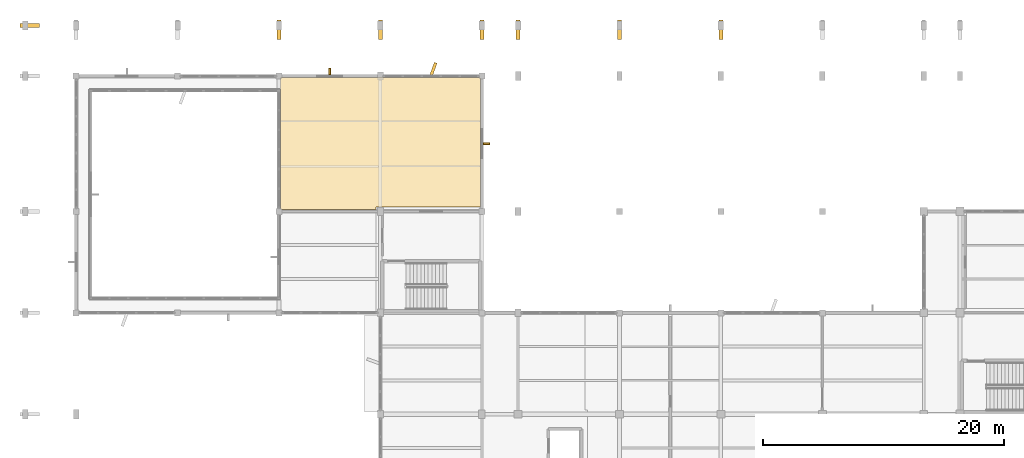
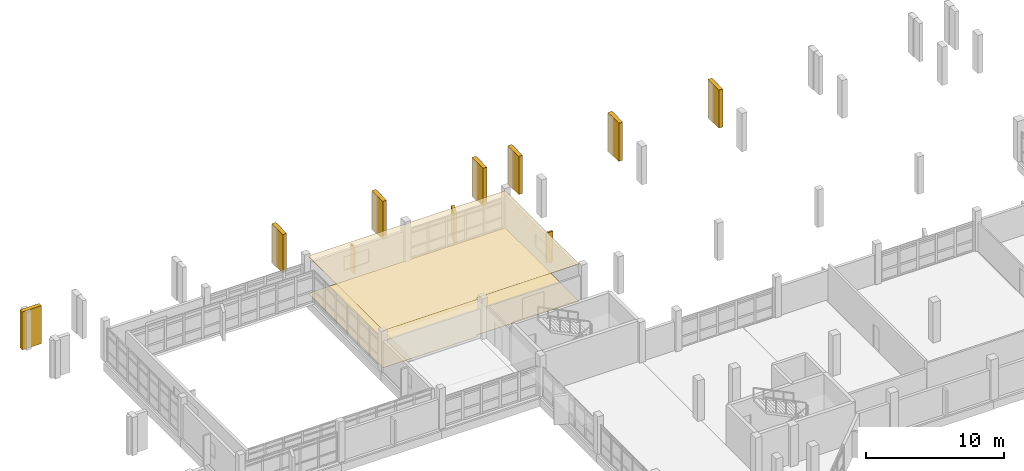
# One storey, part 96 of 104: 10 coverings, 2 shading devices.
"""IFC4 building model written with IfcOpenShell, lengths in metres."""

from ifc_helpers import new_model, si_unit, direction, frame, origin, origin_2d, place, context, subcontext, project, spatial, polyline, rectangle, outline, extrude, material, layer, layer_set, type_object, element, save


model = new_model("IFC4")

# Units and contexts
model_context = context("Model", 3, precision=1e-05, world=origin(), true_north=direction((0.0, 1.0)))
body_context = subcontext(model_context, "Body", "Model", "MODEL_VIEW")
ifc_project = project(units=[si_unit("LENGTHUNIT", "METRE"), si_unit("AREAUNIT", "SQUARE_METRE"), si_unit("VOLUMEUNIT", "CUBIC_METRE"), si_unit("PLANEANGLEUNIT", "RADIAN"), si_unit("MASSUNIT", "GRAM", prefix="KILO")], contexts=[model_context])

# Site, building, storey
site_placement = place(None, origin())
site = spatial("IfcSite", under=ifc_project, at=site_placement, CompositionType="ELEMENT")
building_placement = place(site_placement, origin())
building = spatial("IfcBuilding", under=site, at=building_placement, Name="Vanh Quang Courtyard School", CompositionType="ELEMENT")
storey_placement = place(building_placement, frame((0.0, 0.0, 4.199951171875)))
storey = spatial("IfcBuildingStorey", under=building, at=storey_placement, Name="L01", CompositionType="ELEMENT", Elevation=4.199951171875)

# Coverings
ifc_material_1 = material(Name="Perforated mineral-fibre acoustic ceiling board")
ifc_layer_1 = layer(ifc_material_1, 0.02490234375)
ifc_layer_set_1 = layer_set([ifc_layer_1], Name="Perforated mineral-fibre acoustic ceiling board")
covering_type_1 = type_object("IfcCoveringType", Name="COV-CEIL-ACOUSTIC", PredefinedType="CEILING", material=ifc_layer_set_1)
covering_1_placement = place(storey_placement, frame((0.0, 0.0, 3.295166015625)))
element("IfcCovering", 1, at=covering_1_placement, inside=storey, type_object=covering_type_1, Name="Covering CV-CL1 (L01)", PredefinedType="CEILING", context=body_context, shape_type="SweptSolid", body=[
    extrude(outline(polyline([(21.139892578125, 96.75), (21.138916015625, 96.75), (21.137939453125, 96.750244140625), (21.13720703125, 96.75048828125), (21.13623046875, 96.750732421875), (21.13525390625, 96.751220703125), (21.134521484375, 96.751708984375), (21.1337890625, 96.752197265625), (21.1328125, 96.7529296875), (21.13232421875, 96.753662109375), (21.131591796875, 96.75439453125), (21.131103515625, 96.75537109375), (21.130859375, 96.756103515625), (21.13037109375, 96.757080078125), (21.130126953125, 96.758056640625), (21.1298828125, 96.759033203125), (21.1298828125, 96.760009765625), (21.1298828125, 107.659912109375), (21.1298828125, 107.660888671875), (21.130126953125, 107.662109375), (21.13037109375, 107.662841796875), (21.130859375, 107.663818359375), (21.131103515625, 107.664794921875), (21.131591796875, 107.66552734375), (21.13232421875, 107.666259765625), (21.1328125, 107.6669921875), (21.1337890625, 107.667724609375), (21.134521484375, 107.668212890625), (21.13525390625, 107.668701171875), (21.13623046875, 107.669189453125), (21.13720703125, 107.669677734375), (21.137939453125, 107.669921875), (21.138916015625, 107.669921875), (21.139892578125, 107.669921875), (37.659912109375, 107.669921875), (37.660888671875, 107.669921875), (37.662109375, 107.669921875), (37.662841796875, 107.669677734375), (37.663818359375, 107.669189453125), (37.664794921875, 107.668701171875), (37.66552734375, 107.668212890625), (37.666259765625, 107.667724609375), (37.6669921875, 107.6669921875), (37.667724609375, 107.666259765625), (37.668212890625, 107.66552734375), (37.668701171875, 107.664794921875), (37.669189453125, 107.663818359375), (37.669677734375, 107.662841796875), (37.669921875, 107.662109375), (37.669921875, 107.660888671875), (37.669921875, 107.659912109375), (37.669921875, 96.949951171875), (29.050048828125, 96.949951171875), (29.050048828125, 96.75), (21.139892578125, 96.75)])), origin(), (0.0, 0.0, 1.0), 0.02490234375),
])
ifc_material_2 = material(Name="Polished cementitious terrazzo tile", Category="concrete")
ifc_layer_2 = layer(ifc_material_2, 0.02001953125)
ifc_layer_set_2 = layer_set([ifc_layer_2], Name="Polished cementitious terrazzo tile")
covering_type_2 = type_object("IfcCoveringType", Name="COV-FLR-TERRAZZO", PredefinedType="FLOORING", material=ifc_layer_set_2)
covering_2_placement = place(storey_placement, origin())
element("IfcCovering", 2, at=covering_2_placement, inside=storey, type_object=covering_type_2, Name="Covering CV-FL1 (L01)", PredefinedType="FLOORING", context=body_context, shape_type="SweptSolid", body=[
    extrude(outline(polyline([(21.139892578125, 96.75), (21.138916015625, 96.75), (21.137939453125, 96.750244140625), (21.13720703125, 96.75048828125), (21.13623046875, 96.750732421875), (21.13525390625, 96.751220703125), (21.134521484375, 96.751708984375), (21.1337890625, 96.752197265625), (21.1328125, 96.7529296875), (21.13232421875, 96.753662109375), (21.131591796875, 96.75439453125), (21.131103515625, 96.75537109375), (21.130859375, 96.756103515625), (21.13037109375, 96.757080078125), (21.130126953125, 96.758056640625), (21.1298828125, 96.759033203125), (21.1298828125, 96.760009765625), (21.1298828125, 107.659912109375), (21.1298828125, 107.660888671875), (21.130126953125, 107.662109375), (21.13037109375, 107.662841796875), (21.130859375, 107.663818359375), (21.131103515625, 107.664794921875), (21.131591796875, 107.66552734375), (21.13232421875, 107.666259765625), (21.1328125, 107.6669921875), (21.1337890625, 107.667724609375), (21.134521484375, 107.668212890625), (21.13525390625, 107.668701171875), (21.13623046875, 107.669189453125), (21.13720703125, 107.669677734375), (21.137939453125, 107.669921875), (21.138916015625, 107.669921875), (21.139892578125, 107.669921875), (37.659912109375, 107.669921875), (37.660888671875, 107.669921875), (37.662109375, 107.669921875), (37.662841796875, 107.669677734375), (37.663818359375, 107.669189453125), (37.664794921875, 107.668701171875), (37.66552734375, 107.668212890625), (37.666259765625, 107.667724609375), (37.6669921875, 107.6669921875), (37.667724609375, 107.666259765625), (37.668212890625, 107.66552734375), (37.668701171875, 107.664794921875), (37.669189453125, 107.663818359375), (37.669677734375, 107.662841796875), (37.669921875, 107.662109375), (37.669921875, 107.660888671875), (37.669921875, 107.659912109375), (37.669921875, 96.949951171875), (29.050048828125, 96.949951171875), (29.050048828125, 96.75), (21.139892578125, 96.75)])), origin(), (0.0, 0.0, 1.0), 0.02001953125),
])
ifc_material_3 = material(Name="Board-marked precast concrete C40/50", Category="concrete")
ifc_layer_3 = layer(ifc_material_3, 0.239990234375)
ifc_layer_set_3 = layer_set([ifc_layer_3], Name="Board-marked precast concrete C40/50")
covering_type_3 = type_object("IfcCoveringType", Name="COV-HOOD-CONC", PredefinedType="CLADDING", material=ifc_layer_set_3)
covering_3_placement = place(storey_placement, frame((33.7900390625, 108.385009765625, 0.0), z_axis=(0.0, 0.0, 1.0), x_axis=(0.340379550213, 0.94028812701, 0.0)))
element("IfcCovering", 3, at=covering_3_placement, inside=storey, type_object=covering_type_3, Name="Covering CH-01 (L01)", PredefinedType="CLADDING", context=body_context, shape_type="SweptSolid", body=[
    extrude(rectangle(XDim=1.11669921875, YDim=0.239990234375, at=origin_2d()), origin(), (0.0, 0.0, 1.0), 2.56005859375),
])
for number, where, z_axis, x_axis, name in (
    (4, (0.35009765625, 112.0, 0.0), (0.0, 0.0, 1.0), (1.0, 0.0, 0.0), "Covering CH-01 (L01)"),
    (5, (21.0, 111.64990234375, 0.0), (0.0, 0.0, 1.0), (0.0, 1.0, 0.0), "Covering CH-01 (L01)"),
    (6, (29.39990234375, 111.64990234375, 0.0), (0.0, 0.0, 1.0), (0.0, 1.0, 0.0), "Covering CH-01 (L01)"),
    (7, (37.800048828125, 111.64990234375, 0.0), (0.0, 0.0, 1.0), (0.0, 1.0, 0.0), "Covering CH-01 (L01)"),
    (8, (40.800048828125, 111.64990234375, 0.0), (0.0, 0.0, 1.0), (0.0, 1.0, 0.0), "Covering CH-01 (L01)"),
    (9, (49.199951171875, 111.64990234375, 0.0), (0.0, 0.0, 1.0), (0.0, 1.0, 0.0), "Covering CH-01 (L01)"),
    (10, (57.60009765625, 111.64990234375, 0.0), (0.0, 0.0, 1.0), (0.0, 1.0, 0.0), "Covering CH-01 (L01)"),
):
    element("IfcCovering", number, at=place(storey_placement, frame(where, z_axis=z_axis, x_axis=x_axis)), inside=storey, type_object=covering_type_3, Name=name, PredefinedType="CLADDING", context=body_context, shape_type="SweptSolid", body=[
        extrude(rectangle(XDim=1.60009765625, YDim=0.320068359375, at=origin_2d()), origin(), (0.0, 0.0, 1.0), 3.3798828125),
    ])

# Shading devices
shading_device_type = type_object("IfcShadingDeviceType", Name="SHD-FIN-CONCRETE", PredefinedType="USERDEFINED", material=ifc_material_3)
shading_device_1_placement = place(storey_placement, frame((25.199951171875, 108.195068359375, 0.14990234375), z_axis=(0.0, 0.0, 1.0), x_axis=(1.0, 0.0, 0.0)))
element("IfcShadingDevice", 11, at=shading_device_1_placement, inside=storey, type_object=shading_device_type, Name="Solar Shading SH-02 (L01)", ObjectType="Solar Shading SH-02 (L01)", PredefinedType="USERDEFINED", context=body_context, shape_type="SweptSolid", body=[
    extrude(rectangle(XDim=0.139892578125, YDim=0.550048828125, at=origin_2d()), origin(), (0.0, 0.0, 1.0), 2.3701171875),
])
shading_device_2_placement = place(storey_placement, frame((38.195068359375, 102.199951171875, 0.14990234375), z_axis=(0.0, 0.0, 1.0), x_axis=(0.0, -1.0, 0.0)))
element("IfcShadingDevice", 12, at=shading_device_2_placement, inside=storey, type_object=shading_device_type, Name="Solar Shading SH-02 (L01)", ObjectType="Solar Shading SH-02 (L01)", PredefinedType="USERDEFINED", context=body_context, shape_type="SweptSolid", body=[
    extrude(rectangle(XDim=0.139892578125, YDim=0.550048828125, at=origin_2d()), origin(), (0.0, 0.0, 1.0), 2.659912109375),
])

save(model, "model.ifc")
